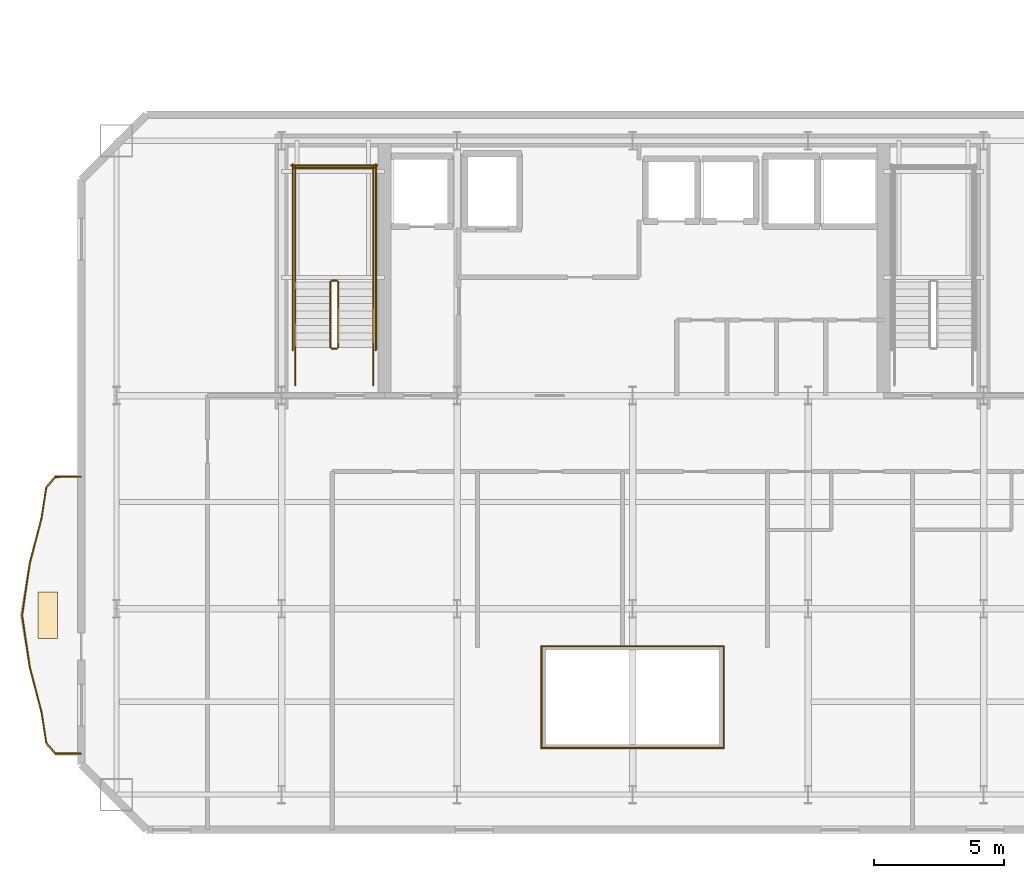
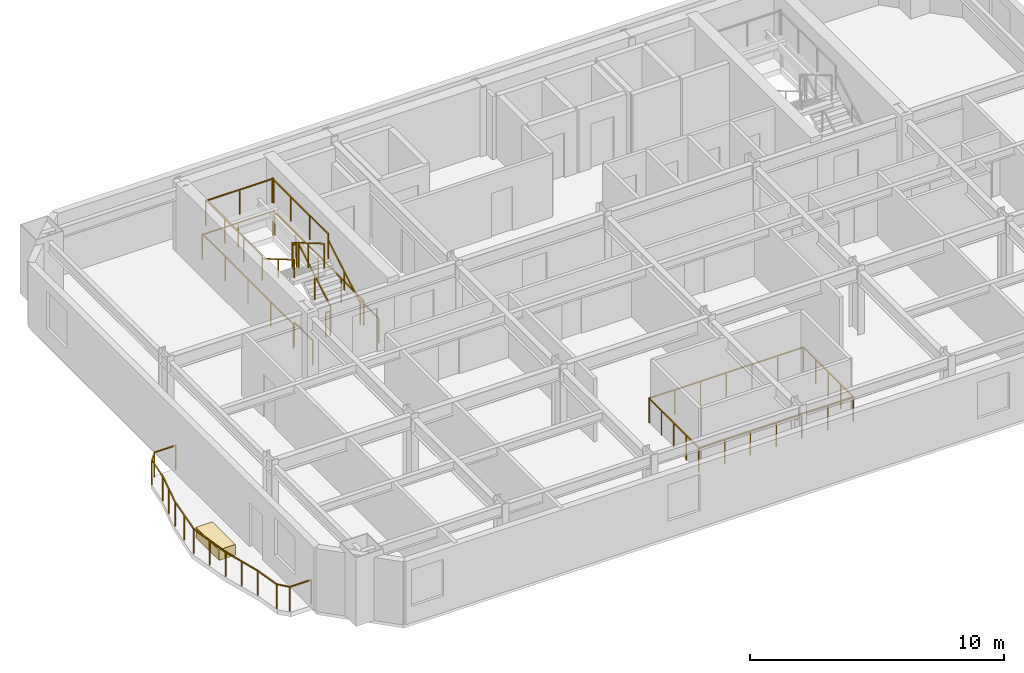
# One storey, part 10 of 13: 28 railings, 1 covering.
"""IFC4 building model written with IfcOpenShell, lengths in metres."""

from ifc_helpers import new_model, si_unit, direction, frame, origin, origin_2d, place, context, subcontext, project, spatial, rectangle, extrude, material, layer, layer_set, type_object, element, save


model = new_model("IFC4")

# Units and contexts
model_context = context("Model", 3, precision=1e-05, world=origin(), true_north=direction((0.0, 1.0)))
body_context = subcontext(model_context, "Body", "Model", "MODEL_VIEW")
ifc_project = project(units=[si_unit("LENGTHUNIT", "METRE"), si_unit("AREAUNIT", "SQUARE_METRE"), si_unit("VOLUMEUNIT", "CUBIC_METRE"), si_unit("PLANEANGLEUNIT", "RADIAN"), si_unit("MASSUNIT", "GRAM", prefix="KILO")], contexts=[model_context])

# Site, building, storey
site_placement = place(None, origin())
site = spatial("IfcSite", under=ifc_project, at=site_placement, CompositionType="ELEMENT")
building_placement = place(site_placement, origin())
building = spatial("IfcBuilding", under=site, at=building_placement, Name="Haevon Station Towers", CompositionType="ELEMENT")
storey_placement = place(building_placement, frame((0.0, 0.0, 142.800048828125)))
storey = spatial("IfcBuildingStorey", under=building, at=storey_placement, Name="L38", CompositionType="ELEMENT", Elevation=142.800048828125)

# Railings
ifc_material_1 = material(Name="Steel S355", Category="steel")
railing_type_1 = type_object("IfcRailingType", Name="BAL-ATR1200", PredefinedType="BALUSTRADE", material=ifc_material_1)
railing_1_placement = place(storey_placement, frame((33.995361328125, 24.641357421875, 0.0)))
element("IfcRailing", 1, at=railing_1_placement, inside=storey, type_object=railing_type_1, Name="L38 Atrium Void Balustrade 1", PredefinedType="BALUSTRADE", context=body_context, shape_type="SweptSolid", body=[
    extrude(rectangle(XDim=0.048095703125, YDim=0.048095703125, at=origin_2d()), frame((0.0, 0.0, 1.17578125), z_axis=(1.0, 0.0, 0.0), x_axis=(0.0, 1.0, 0.0)), (0.0, 0.0, 1.0), 7.00927734375),
    extrude(rectangle(XDim=0.0419921875, YDim=0.0419921875, at=origin_2d()), origin(), (0.0, 0.0, 1.0), 1.15185546875),
    extrude(rectangle(XDim=0.0419921875, YDim=0.0419921875, at=origin_2d()), frame((1.168212890625, 0.0, 0.0)), (0.0, 0.0, 1.0), 1.15185546875),
    extrude(rectangle(XDim=0.0419921875, YDim=0.0419921875, at=origin_2d()), frame((2.33642578125, 0.0, 0.0)), (0.0, 0.0, 1.0), 1.15185546875),
    extrude(rectangle(XDim=0.0419921875, YDim=0.0419921875, at=origin_2d()), frame((3.504638671875, 0.0, 0.0)), (0.0, 0.0, 1.0), 1.15185546875),
    extrude(rectangle(XDim=0.0419921875, YDim=0.0419921875, at=origin_2d()), frame((4.6728515625, 0.0, 0.0)), (0.0, 0.0, 1.0), 1.15185546875),
    extrude(rectangle(XDim=0.0419921875, YDim=0.0419921875, at=origin_2d()), frame((5.841064453125, 0.0, 0.0)), (0.0, 0.0, 1.0), 1.15185546875),
    extrude(rectangle(XDim=0.0419921875, YDim=0.0419921875, at=origin_2d()), frame((7.00927734375, 0.0, 0.0)), (0.0, 0.0, 1.0), 1.15185546875),
])
railing_2_placement = place(storey_placement, frame((41.004638671875, 24.641357421875, 0.0)))
element("IfcRailing", 2, at=railing_2_placement, inside=storey, type_object=railing_type_1, Name="L38 Atrium Void Balustrade 2", PredefinedType="BALUSTRADE", context=body_context, shape_type="SweptSolid", body=[
    extrude(rectangle(XDim=0.048095703125, YDim=0.048095703125, at=origin_2d()), frame((0.0, 0.0, 1.17578125), z_axis=(0.0, 1.0, 0.0), x_axis=(-1.0, 0.0, 0.0)), (0.0, 0.0, 1.0), 3.917236328125),
    extrude(rectangle(XDim=0.0419921875, YDim=0.0419921875, at=origin_2d()), origin(), (0.0, 0.0, 1.0), 1.15185546875),
    extrude(rectangle(XDim=0.0419921875, YDim=0.0419921875, at=origin_2d()), frame((0.0, 0.979248046875, 0.0)), (0.0, 0.0, 1.0), 1.15185546875),
    extrude(rectangle(XDim=0.0419921875, YDim=0.0419921875, at=origin_2d()), frame((0.0, 1.95849609375, 0.0)), (0.0, 0.0, 1.0), 1.15185546875),
    extrude(rectangle(XDim=0.0419921875, YDim=0.0419921875, at=origin_2d()), frame((0.0, 2.93798828125, 0.0)), (0.0, 0.0, 1.0), 1.15185546875),
    extrude(rectangle(XDim=0.0419921875, YDim=0.0419921875, at=origin_2d()), frame((0.0, 3.917236328125, 0.0)), (0.0, 0.0, 1.0), 1.15185546875),
])
railing_3_placement = place(storey_placement, frame((41.004638671875, 28.55859375, 0.0)))
element("IfcRailing", 3, at=railing_3_placement, inside=storey, type_object=railing_type_1, Name="L38 Atrium Void Balustrade 3", PredefinedType="BALUSTRADE", context=body_context, shape_type="SweptSolid", body=[
    extrude(rectangle(XDim=0.048095703125, YDim=0.048095703125, at=origin_2d()), frame((0.0, 0.0, 1.17578125), z_axis=(-1.0, 0.0, 0.0), x_axis=(0.0, -1.0, 0.0)), (0.0, 0.0, 1.0), 7.00927734375),
    extrude(rectangle(XDim=0.0419921875, YDim=0.0419921875, at=origin_2d()), origin(), (0.0, 0.0, 1.0), 1.15185546875),
    extrude(rectangle(XDim=0.0419921875, YDim=0.0419921875, at=origin_2d()), frame((-1.168212890625, 0.0, 0.0)), (0.0, 0.0, 1.0), 1.15185546875),
    extrude(rectangle(XDim=0.0419921875, YDim=0.0419921875, at=origin_2d()), frame((-2.33642578125, 0.0, 0.0)), (0.0, 0.0, 1.0), 1.15185546875),
    extrude(rectangle(XDim=0.0419921875, YDim=0.0419921875, at=origin_2d()), frame((-3.504638671875, 0.0, 0.0)), (0.0, 0.0, 1.0), 1.15185546875),
    extrude(rectangle(XDim=0.0419921875, YDim=0.0419921875, at=origin_2d()), frame((-4.6728515625, 0.0, 0.0)), (0.0, 0.0, 1.0), 1.15185546875),
    extrude(rectangle(XDim=0.0419921875, YDim=0.0419921875, at=origin_2d()), frame((-5.841064453125, 0.0, 0.0)), (0.0, 0.0, 1.0), 1.15185546875),
    extrude(rectangle(XDim=0.0419921875, YDim=0.0419921875, at=origin_2d()), frame((-7.00927734375, 0.0, 0.0)), (0.0, 0.0, 1.0), 1.15185546875),
])
railing_4_placement = place(storey_placement, frame((33.995361328125, 28.55859375, 0.0)))
element("IfcRailing", 4, at=railing_4_placement, inside=storey, type_object=railing_type_1, Name="L38 Atrium Void Balustrade 4", PredefinedType="BALUSTRADE", context=body_context, shape_type="SweptSolid", body=[
    extrude(rectangle(XDim=0.048095703125, YDim=0.048095703125, at=origin_2d()), frame((0.0, 0.0, 1.17578125), z_axis=(0.0, -1.0, 0.0), x_axis=(1.0, 0.0, 0.0)), (0.0, 0.0, 1.0), 3.917236328125),
    extrude(rectangle(XDim=0.0419921875, YDim=0.0419921875, at=origin_2d()), origin(), (0.0, 0.0, 1.0), 1.15185546875),
    extrude(rectangle(XDim=0.0419921875, YDim=0.0419921875, at=origin_2d()), frame((0.0, -0.979248046875, 0.0)), (0.0, 0.0, 1.0), 1.15185546875),
    extrude(rectangle(XDim=0.0419921875, YDim=0.0419921875, at=origin_2d()), frame((0.0, -1.95849609375, 0.0)), (0.0, 0.0, 1.0), 1.15185546875),
    extrude(rectangle(XDim=0.0419921875, YDim=0.0419921875, at=origin_2d()), frame((0.0, -2.93798828125, 0.0)), (0.0, 0.0, 1.0), 1.15185546875),
    extrude(rectangle(XDim=0.0419921875, YDim=0.0419921875, at=origin_2d()), frame((0.0, -3.917236328125, 0.0)), (0.0, 0.0, 1.0), 1.15185546875),
])
railing_type_2 = type_object("IfcRailingType", Name="GRD-EXT1200", PredefinedType="GUARDRAIL", material=ifc_material_1)
railing_5_placement = place(storey_placement, frame((16.276611328125, 35.072265625, 0.0)))
element("IfcRailing", 5, at=railing_5_placement, inside=storey, type_object=railing_type_2, Name="L38 Perimeter Guardrail 1", PredefinedType="GUARDRAIL", context=body_context, shape_type="SweptSolid", body=[
    extrude(rectangle(XDim=0.048095703125, YDim=0.048095703125, at=origin_2d()), frame((0.0, 0.0, 1.17578125), z_axis=(-0.999997458604, -0.002254503288, 0.0), x_axis=(0.002254503288, -0.999997458604, 0.0)), (0.0, 0.0, 1.0), 0.974609375),
    extrude(rectangle(XDim=0.0419921875, YDim=0.0419921875, at=origin_2d()), origin(), (0.0, 0.0, 1.0), 1.15185546875),
    extrude(rectangle(XDim=0.0419921875, YDim=0.0419921875, at=origin_2d()), frame((-0.974609375, -0.002197265625, 0.0)), (0.0, 0.0, 1.0), 1.15185546875),
])
railing_6_placement = place(storey_placement, frame((15.302001953125, 35.070068359375, 0.0)))
element("IfcRailing", 6, at=railing_6_placement, inside=storey, type_object=railing_type_2, Name="L38 Perimeter Guardrail 2", PredefinedType="GUARDRAIL", context=body_context, shape_type="SweptSolid", body=[
    extrude(rectangle(XDim=0.048095703125, YDim=0.048095703125, at=origin_2d()), frame((0.0, 0.0, 1.17578125), z_axis=(-0.652494424459, -0.757793524682, 0.0), x_axis=(0.757793524682, -0.652494424459, 0.0)), (0.0, 0.0, 1.0), 0.54248046875),
    extrude(rectangle(XDim=0.0419921875, YDim=0.0419921875, at=origin_2d()), origin(), (0.0, 0.0, 1.0), 1.15185546875),
    extrude(rectangle(XDim=0.0419921875, YDim=0.0419921875, at=origin_2d()), frame((-0.35400390625, -0.4111328125, 0.0)), (0.0, 0.0, 1.0), 1.15185546875),
])
railing_7_placement = place(storey_placement, frame((14.947998046875, 34.658935546875, 0.0)))
element("IfcRailing", 7, at=railing_7_placement, inside=storey, type_object=railing_type_2, Name="L38 Perimeter Guardrail 3", PredefinedType="GUARDRAIL", context=body_context, shape_type="SweptSolid", body=[
    extrude(rectangle(XDim=0.048095703125, YDim=0.048095703125, at=origin_2d()), frame((0.0, 0.0, 1.17578125), z_axis=(-0.152351520167, -0.988326370337, 0.0), x_axis=(0.988326370337, -0.152351520167, 0.0)), (0.0, 0.0, 1.0), 1.184326171875),
    extrude(rectangle(XDim=0.0419921875, YDim=0.0419921875, at=origin_2d()), origin(), (0.0, 0.0, 1.0), 1.15185546875),
    extrude(rectangle(XDim=0.0419921875, YDim=0.0419921875, at=origin_2d()), frame((-0.180419921875, -1.17041015625, 0.0)), (0.0, 0.0, 1.0), 1.15185546875),
])
railing_8_placement = place(storey_placement, frame((14.767578125, 33.488525390625, 0.0)))
element("IfcRailing", 8, at=railing_8_placement, inside=storey, type_object=railing_type_2, Name="L38 Perimeter Guardrail 4", PredefinedType="GUARDRAIL", context=body_context, shape_type="SweptSolid", body=[
    extrude(rectangle(XDim=0.048095703125, YDim=0.048095703125, at=origin_2d()), frame((0.0, 0.0, 1.17578125), z_axis=(-0.25111702381, -0.967956734752, 0.0), x_axis=(0.967956734752, -0.25111702381, 0.0)), (0.0, 0.0, 1.0), 1.805419921875),
    extrude(rectangle(XDim=0.0419921875, YDim=0.0419921875, at=origin_2d()), origin(), (0.0, 0.0, 1.0), 1.15185546875),
    extrude(rectangle(XDim=0.0419921875, YDim=0.0419921875, at=origin_2d()), frame((-0.2265625, -0.873779296875, 0.0)), (0.0, 0.0, 1.0), 1.15185546875),
    extrude(rectangle(XDim=0.0419921875, YDim=0.0419921875, at=origin_2d()), frame((-0.453369140625, -1.74755859375, 0.0)), (0.0, 0.0, 1.0), 1.15185546875),
])
railing_9_placement = place(storey_placement, frame((14.314208984375, 31.740966796875, 0.0)))
element("IfcRailing", 9, at=railing_9_placement, inside=storey, type_object=railing_type_2, Name="L38 Perimeter Guardrail 5", PredefinedType="GUARDRAIL", context=body_context, shape_type="SweptSolid", body=[
    extrude(rectangle(XDim=0.048095703125, YDim=0.048095703125, at=origin_2d()), frame((0.0, 0.0, 1.17578125), z_axis=(-0.14558130584, -0.989346290937, 0.0), x_axis=(0.989346290937, -0.14558130584, 0.0)), (0.0, 0.0, 1.0), 2.012451171875),
    extrude(rectangle(XDim=0.0419921875, YDim=0.0419921875, at=origin_2d()), origin(), (0.0, 0.0, 1.0), 1.15185546875),
    extrude(rectangle(XDim=0.0419921875, YDim=0.0419921875, at=origin_2d()), frame((-0.146484375, -0.99560546875, 0.0)), (0.0, 0.0, 1.0), 1.15185546875),
    extrude(rectangle(XDim=0.0419921875, YDim=0.0419921875, at=origin_2d()), frame((-0.29296875, -1.990966796875, 0.0)), (0.0, 0.0, 1.0), 1.15185546875),
])
railing_10_placement = place(storey_placement, frame((14.021240234375, 29.75, 0.0)))
element("IfcRailing", 10, at=railing_10_placement, inside=storey, type_object=railing_type_2, Name="L38 Perimeter Guardrail 6", PredefinedType="GUARDRAIL", context=body_context, shape_type="SweptSolid", body=[
    extrude(rectangle(XDim=0.048095703125, YDim=0.048095703125, at=origin_2d()), frame((0.0, 0.0, 1.17578125), z_axis=(0.14558130584, -0.989346290937, 0.0), x_axis=(0.989346290937, 0.14558130584, 0.0)), (0.0, 0.0, 1.0), 2.012451171875),
    extrude(rectangle(XDim=0.0419921875, YDim=0.0419921875, at=origin_2d()), origin(), (0.0, 0.0, 1.0), 1.15185546875),
    extrude(rectangle(XDim=0.0419921875, YDim=0.0419921875, at=origin_2d()), frame((0.146484375, -0.99560546875, 0.0)), (0.0, 0.0, 1.0), 1.15185546875),
    extrude(rectangle(XDim=0.0419921875, YDim=0.0419921875, at=origin_2d()), frame((0.29296875, -1.990966796875, 0.0)), (0.0, 0.0, 1.0), 1.15185546875),
])
railing_11_placement = place(storey_placement, frame((14.314208984375, 27.759033203125, 0.0)))
element("IfcRailing", 11, at=railing_11_placement, inside=storey, type_object=railing_type_2, Name="L38 Perimeter Guardrail 7", PredefinedType="GUARDRAIL", context=body_context, shape_type="SweptSolid", body=[
    extrude(rectangle(XDim=0.048095703125, YDim=0.048095703125, at=origin_2d()), frame((0.0, 0.0, 1.17578125), z_axis=(0.25111702381, -0.967956734752, 0.0), x_axis=(0.967956734752, 0.25111702381, 0.0)), (0.0, 0.0, 1.0), 1.805419921875),
    extrude(rectangle(XDim=0.0419921875, YDim=0.0419921875, at=origin_2d()), origin(), (0.0, 0.0, 1.0), 1.15185546875),
    extrude(rectangle(XDim=0.0419921875, YDim=0.0419921875, at=origin_2d()), frame((0.2265625, -0.873779296875, 0.0)), (0.0, 0.0, 1.0), 1.15185546875),
    extrude(rectangle(XDim=0.0419921875, YDim=0.0419921875, at=origin_2d()), frame((0.453369140625, -1.74755859375, 0.0)), (0.0, 0.0, 1.0), 1.15185546875),
])
railing_12_placement = place(storey_placement, frame((14.767578125, 26.011474609375, 0.0)))
element("IfcRailing", 12, at=railing_12_placement, inside=storey, type_object=railing_type_2, Name="L38 Perimeter Guardrail 8", PredefinedType="GUARDRAIL", context=body_context, shape_type="SweptSolid", body=[
    extrude(rectangle(XDim=0.048095703125, YDim=0.048095703125, at=origin_2d()), frame((0.0, 0.0, 1.17578125), z_axis=(0.152351520167, -0.988326370337, 0.0), x_axis=(0.988326370337, 0.152351520167, 0.0)), (0.0, 0.0, 1.0), 1.184326171875),
    extrude(rectangle(XDim=0.0419921875, YDim=0.0419921875, at=origin_2d()), origin(), (0.0, 0.0, 1.0), 1.15185546875),
    extrude(rectangle(XDim=0.0419921875, YDim=0.0419921875, at=origin_2d()), frame((0.180419921875, -1.17041015625, 0.0)), (0.0, 0.0, 1.0), 1.15185546875),
])
railing_13_placement = place(storey_placement, frame((14.947998046875, 24.841064453125, 0.0)))
element("IfcRailing", 13, at=railing_13_placement, inside=storey, type_object=railing_type_2, Name="L38 Perimeter Guardrail 9", PredefinedType="GUARDRAIL", context=body_context, shape_type="SweptSolid", body=[
    extrude(rectangle(XDim=0.048095703125, YDim=0.048095703125, at=origin_2d()), frame((0.0, 0.0, 1.17578125), z_axis=(0.652494424459, -0.757793524682, 0.0), x_axis=(0.757793524682, 0.652494424459, 0.0)), (0.0, 0.0, 1.0), 0.54248046875),
    extrude(rectangle(XDim=0.0419921875, YDim=0.0419921875, at=origin_2d()), origin(), (0.0, 0.0, 1.0), 1.15185546875),
    extrude(rectangle(XDim=0.0419921875, YDim=0.0419921875, at=origin_2d()), frame((0.35400390625, -0.4111328125, 0.0)), (0.0, 0.0, 1.0), 1.15185546875),
])
railing_14_placement = place(storey_placement, frame((15.302001953125, 24.429931640625, 0.0)))
element("IfcRailing", 14, at=railing_14_placement, inside=storey, type_object=railing_type_2, Name="L38 Perimeter Guardrail 10", PredefinedType="GUARDRAIL", context=body_context, shape_type="SweptSolid", body=[
    extrude(rectangle(XDim=0.048095703125, YDim=0.048095703125, at=origin_2d()), frame((0.0, 0.0, 1.17578125), z_axis=(0.999997458604, -0.002254503288, 0.0), x_axis=(0.002254503288, 0.999997458604, 0.0)), (0.0, 0.0, 1.0), 0.974609375),
    extrude(rectangle(XDim=0.0419921875, YDim=0.0419921875, at=origin_2d()), origin(), (0.0, 0.0, 1.0), 1.15185546875),
    extrude(rectangle(XDim=0.0419921875, YDim=0.0419921875, at=origin_2d()), frame((0.974609375, -0.002197265625, 0.0)), (0.0, 0.0, 1.0), 1.15185546875),
])
railing_type_3 = type_object("IfcRailingType", Name="GRD-STR1200", PredefinedType="GUARDRAIL", material=ifc_material_1)
railing_15_placement = place(storey_placement, frame((26.179931640625, 40.050048828125, 0.1650390625)))
element("IfcRailing", 15, at=railing_15_placement, inside=storey, type_object=railing_type_3, Name="L38 ST1 Stair Guard 1", PredefinedType="GUARDRAIL", context=body_context, shape_type="SweptSolid", body=[
    extrude(rectangle(XDim=0.048095703125, YDim=0.048095703125, at=origin_2d()), frame((0.0, 0.0, 1.17578125), z_axis=(0.0, 0.861560626758, 0.507654692109), x_axis=(-1.0, 0.0, 0.0)), (0.0, 0.0, 1.0), 2.925048828125),
    extrude(rectangle(XDim=0.0419921875, YDim=0.0419921875, at=origin_2d()), origin(), (0.0, 0.0, 1.0), 1.15185546875),
    extrude(rectangle(XDim=0.0419921875, YDim=0.0419921875, at=origin_2d()), frame((0.0, 1.260009765625, 0.742431640625)), (0.0, 0.0, 1.0), 1.15185546875),
    extrude(rectangle(XDim=0.0419921875, YDim=0.0419921875, at=origin_2d()), frame((0.0, 2.52001953125, 1.48486328125)), (0.0, 0.0, 1.0), 1.15185546875),
])
railing_16_placement = place(storey_placement, frame((26.1298828125, 42.6201171875, 1.64990234375)))
element("IfcRailing", 16, at=railing_16_placement, inside=storey, type_object=railing_type_3, Name="L38 ST1 Stair Guard 2", PredefinedType="GUARDRAIL", context=body_context, shape_type="SweptSolid", body=[
    extrude(rectangle(XDim=0.048095703125, YDim=0.048095703125, at=origin_2d()), frame((0.0, 0.0, 1.17578125), z_axis=(-1.0, 0.0, 0.0), x_axis=(0.0, -1.0, 0.0)), (0.0, 0.0, 1.0), 0.199951171875),
    extrude(rectangle(XDim=0.0419921875, YDim=0.0419921875, at=origin_2d()), origin(), (0.0, 0.0, 1.0), 1.15185546875),
    extrude(rectangle(XDim=0.0419921875, YDim=0.0419921875, at=origin_2d()), frame((-0.199951171875, 0.0, 0.0)), (0.0, 0.0, 1.0), 1.15185546875),
])
for number, where, name in (
    (17, (27.530029296875, 42.570068359375, 1.64990234375), "L38 ST1 Stair Guard 3"),
    (18, (24.530029296875, 42.570068359375, 1.64990234375), "L38 ST1 Stair Guard 4"),
):
    element("IfcRailing", number, at=place(storey_placement, frame(where)), inside=storey, type_object=railing_type_3, Name=name, PredefinedType="GUARDRAIL", context=body_context, shape_type="SweptSolid", body=[
        extrude(rectangle(XDim=0.048095703125, YDim=0.048095703125, at=origin_2d()), frame((0.0, 0.0, 1.17578125), z_axis=(0.0, 1.0, 0.0), x_axis=(-1.0, 0.0, 0.0)), (0.0, 0.0, 1.0), 4.429931640625),
        extrude(rectangle(XDim=0.0419921875, YDim=0.0419921875, at=origin_2d()), origin(), (0.0, 0.0, 1.0), 1.15185546875),
        extrude(rectangle(XDim=0.0419921875, YDim=0.0419921875, at=origin_2d()), frame((0.0, 1.4765625, 0.0)), (0.0, 0.0, 1.0), 1.15185546875),
        extrude(rectangle(XDim=0.0419921875, YDim=0.0419921875, at=origin_2d()), frame((0.0, 2.953369140625, 0.0)), (0.0, 0.0, 1.0), 1.15185546875),
        extrude(rectangle(XDim=0.0419921875, YDim=0.0419921875, at=origin_2d()), frame((0.0, 4.429931640625, 0.0)), (0.0, 0.0, 1.0), 1.15185546875),
    ])
railing_17_placement = place(storey_placement, frame((27.580078125, 46.949951171875, 1.64990234375)))
element("IfcRailing", 19, at=railing_17_placement, inside=storey, type_object=railing_type_3, Name="L38 ST1 Stair Guard 5", PredefinedType="GUARDRAIL", context=body_context, shape_type="SweptSolid", body=[
    extrude(rectangle(XDim=0.048095703125, YDim=0.048095703125, at=origin_2d()), frame((0.0, 0.0, 1.17578125), z_axis=(-1.0, 0.0, 0.0), x_axis=(0.0, -1.0, 0.0)), (0.0, 0.0, 1.0), 3.10009765625),
    extrude(rectangle(XDim=0.0419921875, YDim=0.0419921875, at=origin_2d()), origin(), (0.0, 0.0, 1.0), 1.15185546875),
    extrude(rectangle(XDim=0.0419921875, YDim=0.0419921875, at=origin_2d()), frame((-1.550048828125, 0.0, 0.0)), (0.0, 0.0, 1.0), 1.15185546875),
    extrude(rectangle(XDim=0.0419921875, YDim=0.0419921875, at=origin_2d()), frame((-3.10009765625, 0.0, 0.0)), (0.0, 0.0, 1.0), 1.15185546875),
])
railing_18_placement = place(storey_placement, frame((25.8798828125, 42.570068359375, 1.81494140625)))
element("IfcRailing", 20, at=railing_18_placement, inside=storey, type_object=railing_type_3, Name="L38 ST1 Stair Guard 6", PredefinedType="GUARDRAIL", context=body_context, shape_type="SweptSolid", body=[
    extrude(rectangle(XDim=0.048095703125, YDim=0.048095703125, at=origin_2d()), frame((0.0, 0.0, 1.17578125), z_axis=(0.0, -0.86152411907, 0.507716645641), x_axis=(1.0, 0.0, 0.0)), (0.0, 0.0, 1.0), 2.925048828125),
    extrude(rectangle(XDim=0.0419921875, YDim=0.0419921875, at=origin_2d()), origin(), (0.0, 0.0, 1.0), 1.15185546875),
    extrude(rectangle(XDim=0.0419921875, YDim=0.0419921875, at=origin_2d()), frame((0.0, -1.260009765625, 0.74267578125)), (0.0, 0.0, 1.0), 1.15185546875),
    extrude(rectangle(XDim=0.0419921875, YDim=0.0419921875, at=origin_2d()), frame((0.0, -2.52001953125, 1.485107421875)), (0.0, 0.0, 1.0), 1.15185546875),
])
railing_19_placement = place(storey_placement, frame((26.1298828125, 40.0, 0.0)))
element("IfcRailing", 21, at=railing_19_placement, inside=storey, type_object=railing_type_3, Name="L38 ST1 Stair Guard 7", PredefinedType="GUARDRAIL", context=body_context, shape_type="SweptSolid", body=[
    extrude(rectangle(XDim=0.048095703125, YDim=0.048095703125, at=origin_2d()), frame((0.0, 0.0, 1.17578125), z_axis=(-1.0, 0.0, 0.0), x_axis=(0.0, -1.0, 0.0)), (0.0, 0.0, 1.0), 0.199951171875),
    extrude(rectangle(XDim=0.0419921875, YDim=0.0419921875, at=origin_2d()), origin(), (0.0, 0.0, 1.0), 1.15185546875),
    extrude(rectangle(XDim=0.0419921875, YDim=0.0419921875, at=origin_2d()), frame((-0.199951171875, 0.0, 0.0)), (0.0, 0.0, 1.0), 1.15185546875),
])
for number, where, name in (
    (22, (27.530029296875, 38.60009765625, 0.0), "L38 ST1 Stair Guard 8"),
    (23, (24.530029296875, 38.60009765625, 0.0), "L38 ST1 Stair Guard 9"),
):
    element("IfcRailing", number, at=place(storey_placement, frame(where)), inside=storey, type_object=railing_type_3, Name=name, PredefinedType="GUARDRAIL", context=body_context, shape_type="SweptSolid", body=[
        extrude(rectangle(XDim=0.048095703125, YDim=0.048095703125, at=origin_2d()), frame((0.0, 0.0, 1.17578125), z_axis=(0.0, 1.0, 0.0), x_axis=(-1.0, 0.0, 0.0)), (0.0, 0.0, 1.0), 1.449951171875),
        extrude(rectangle(XDim=0.0419921875, YDim=0.0419921875, at=origin_2d()), origin(), (0.0, 0.0, 1.0), 1.15185546875),
        extrude(rectangle(XDim=0.0419921875, YDim=0.0419921875, at=origin_2d()), frame((0.0, 1.449951171875, 0.0)), (0.0, 0.0, 1.0), 1.15185546875),
    ])
for number, where, name in (
    (24, (27.6298828125, 39.949951171875, 0.0), "L38 ST1 Stair Guard 10"),
    (25, (24.429931640625, 39.949951171875, 0.0), "L38 ST1 Stair Guard 11"),
):
    element("IfcRailing", number, at=place(storey_placement, frame(where)), inside=storey, type_object=railing_type_3, Name=name, PredefinedType="GUARDRAIL", context=body_context, shape_type="SweptSolid", body=[
        extrude(rectangle(XDim=0.048095703125, YDim=0.048095703125, at=origin_2d()), frame((0.0, 0.0, 1.17578125), z_axis=(0.0, 1.0, 0.0), x_axis=(-1.0, 0.0, 0.0)), (0.0, 0.0, 1.0), 7.150146484375),
        extrude(rectangle(XDim=0.0419921875, YDim=0.0419921875, at=origin_2d()), origin(), (0.0, 0.0, 1.0), 1.15185546875),
        extrude(rectangle(XDim=0.0419921875, YDim=0.0419921875, at=origin_2d()), frame((0.0, 1.78759765625, 0.0)), (0.0, 0.0, 1.0), 1.15185546875),
        extrude(rectangle(XDim=0.0419921875, YDim=0.0419921875, at=origin_2d()), frame((0.0, 3.5751953125, 0.0)), (0.0, 0.0, 1.0), 1.15185546875),
        extrude(rectangle(XDim=0.0419921875, YDim=0.0419921875, at=origin_2d()), frame((0.0, 5.362548828125, 0.0)), (0.0, 0.0, 1.0), 1.15185546875),
        extrude(rectangle(XDim=0.0419921875, YDim=0.0419921875, at=origin_2d()), frame((0.0, 7.150146484375, 0.0)), (0.0, 0.0, 1.0), 1.15185546875),
    ])
railing_20_placement = place(storey_placement, frame((27.679931640625, 47.050048828125, 0.0)))
element("IfcRailing", 26, at=railing_20_placement, inside=storey, type_object=railing_type_3, Name="L38 ST1 Stair Guard 12", PredefinedType="GUARDRAIL", context=body_context, shape_type="SweptSolid", body=[
    extrude(rectangle(XDim=0.048095703125, YDim=0.048095703125, at=origin_2d()), frame((0.0, 0.0, 1.17578125), z_axis=(-1.0, 0.0, 0.0), x_axis=(0.0, -1.0, 0.0)), (0.0, 0.0, 1.0), 3.300048828125),
    extrude(rectangle(XDim=0.0419921875, YDim=0.0419921875, at=origin_2d()), origin(), (0.0, 0.0, 1.0), 1.15185546875),
    extrude(rectangle(XDim=0.0419921875, YDim=0.0419921875, at=origin_2d()), frame((-1.64990234375, 0.0, 0.0)), (0.0, 0.0, 1.0), 1.15185546875),
    extrude(rectangle(XDim=0.0419921875, YDim=0.0419921875, at=origin_2d()), frame((-3.300048828125, 0.0, 0.0)), (0.0, 0.0, 1.0), 1.15185546875),
])
railing_type_4 = type_object("IfcRailingType", Name="HND-STR900", PredefinedType="HANDRAIL", material=ifc_material_1)
railing_21_placement = place(storey_placement, frame((27.530029296875, 40.050048828125, 0.1650390625)))
element("IfcRailing", 27, at=railing_21_placement, inside=storey, type_object=railing_type_4, Name="L38 ST1 Stair Handrail 1", PredefinedType="HANDRAIL", context=body_context, shape_type="SweptSolid", body=[
    extrude(rectangle(XDim=0.048095703125, YDim=0.048095703125, at=origin_2d()), frame((0.0, 0.0, 0.8759765625), z_axis=(0.0, 0.861560626758, 0.507654692109), x_axis=(-1.0, 0.0, 0.0)), (0.0, 0.0, 1.0), 2.925048828125),
    extrude(rectangle(XDim=0.0419921875, YDim=0.0419921875, at=origin_2d()), origin(), (0.0, 0.0, 1.0), 0.851806640625),
    extrude(rectangle(XDim=0.0419921875, YDim=0.0419921875, at=origin_2d()), frame((0.0, 1.260009765625, 0.742431640625)), (0.0, 0.0, 1.0), 0.851806640625),
    extrude(rectangle(XDim=0.0419921875, YDim=0.0419921875, at=origin_2d()), frame((0.0, 2.52001953125, 1.48486328125)), (0.0, 0.0, 1.0), 0.851806640625),
])
railing_22_placement = place(storey_placement, frame((24.530029296875, 42.570068359375, 1.81494140625)))
element("IfcRailing", 28, at=railing_22_placement, inside=storey, type_object=railing_type_4, Name="L38 ST1 Stair Handrail 2", PredefinedType="HANDRAIL", context=body_context, shape_type="SweptSolid", body=[
    extrude(rectangle(XDim=0.048095703125, YDim=0.048095703125, at=origin_2d()), frame((0.0, 0.0, 0.8759765625), z_axis=(0.0, -0.86152411907, 0.507716645641), x_axis=(1.0, 0.0, 0.0)), (0.0, 0.0, 1.0), 2.925048828125),
    extrude(rectangle(XDim=0.0419921875, YDim=0.0419921875, at=origin_2d()), origin(), (0.0, 0.0, 1.0), 0.851806640625),
    extrude(rectangle(XDim=0.0419921875, YDim=0.0419921875, at=origin_2d()), frame((0.0, -1.260009765625, 0.74267578125)), (0.0, 0.0, 1.0), 0.851806640625),
    extrude(rectangle(XDim=0.0419921875, YDim=0.0419921875, at=origin_2d()), frame((0.0, -2.52001953125, 1.485107421875)), (0.0, 0.0, 1.0), 0.851806640625),
])

# Covering
ifc_material_2 = material(Name="Architectural planter GRC", Category="concrete")
ifc_layer = layer(ifc_material_2, 0.550048828125)
ifc_layer_set = layer_set([ifc_layer], Name="Architectural planter GRC")
covering_type = type_object("IfcCoveringType", Name="PLN-GRC550", PredefinedType="MOLDING", material=ifc_layer_set)
covering_placement = place(storey_placement, frame((15.012451171875, 29.75, 0.0), z_axis=(0.0, 0.0, 1.0), x_axis=(1.0, 0.0, 0.0)))
element("IfcCovering", 29, at=covering_placement, inside=storey, type_object=covering_type, Name="Tower 1 L38 Scalloped Balcony PLANTER", PredefinedType="MOLDING", context=body_context, shape_type="SweptSolid", body=[
    extrude(rectangle(XDim=0.75, YDim=1.800048828125, at=origin_2d()), origin(), (0.0, 0.0, 1.0), 0.5),
])

save(model, "model.ifc")
